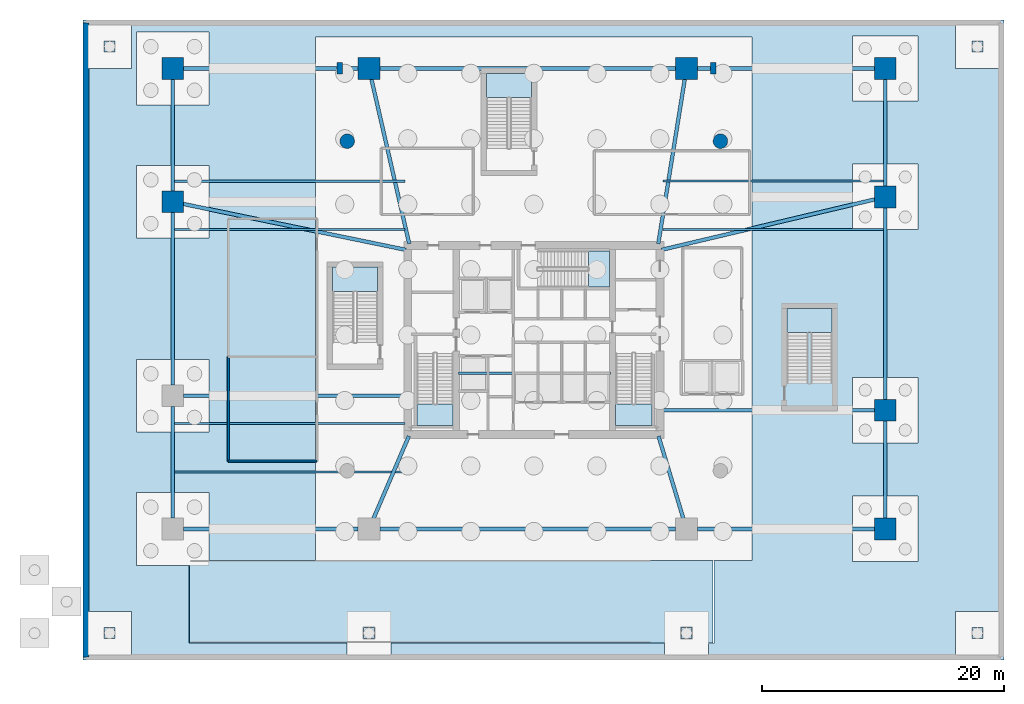
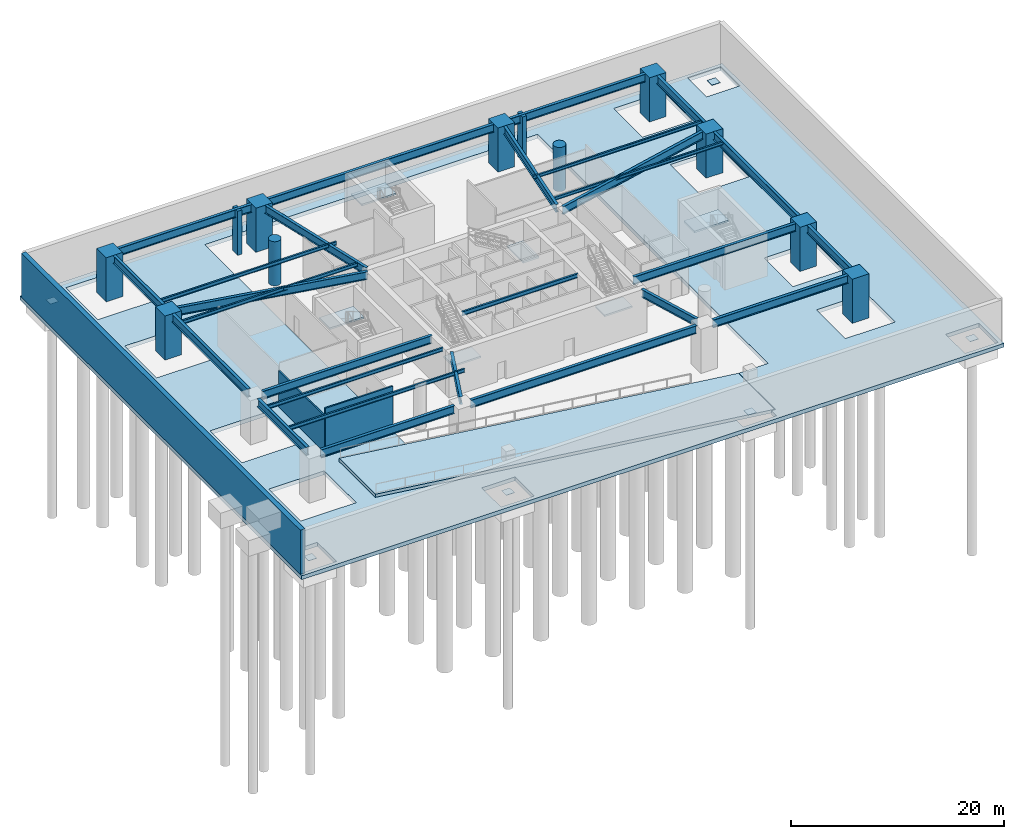
# One storey, part 3 of 11: 27 beams, 12 columns, 8 slabs, 6 plates, 3 walls, 6 elements without a shape of their own.
"""IFC4 building model written with IfcOpenShell, lengths in metres."""

from ifc_helpers import new_model, si_unit, direction, frame, frame_2d, origin, origin_2d, place, context, subcontext, project, spatial, polyline, rectangle, circle, i_section, outline, extrude, material, layer, layer_set, material_profile, profile_set, type_object, element, aggregate, save


model = new_model("IFC4")

# Units and contexts
model_context = context("Model", 3, precision=1e-05, world=origin(), true_north=direction((0.0, 1.0)))
body_context = subcontext(model_context, "Body", "Model", "MODEL_VIEW")
ifc_project = project(units=[si_unit("LENGTHUNIT", "METRE"), si_unit("AREAUNIT", "SQUARE_METRE"), si_unit("VOLUMEUNIT", "CUBIC_METRE"), si_unit("PLANEANGLEUNIT", "RADIAN"), si_unit("MASSUNIT", "GRAM", prefix="KILO")], contexts=[model_context])

# Site, building, storey
site_placement = place(None, origin())
site = spatial("IfcSite", under=ifc_project, at=site_placement, CompositionType="ELEMENT")
building_placement = place(site_placement, origin())
building = spatial("IfcBuilding", under=site, at=building_placement, Name="Qarnah Convention Tower", CompositionType="ELEMENT")
storey_placement = place(building_placement, frame((0.0, 0.0, -5.39990234375)))
storey = spatial("IfcBuildingStorey", under=building, at=storey_placement, Name="B1", CompositionType="ELEMENT", Elevation=-5.39990234375)

# Columns
ifc_material_1 = material(Name="Concrete C60/75", Category="concrete")
ifc_material_profile_1 = material_profile(ifc_material_1, circle(Radius=0.60009765625, at=origin_2d()), Name="RC-COL-D1200")
ifc_profile_set_1 = profile_set([ifc_material_profile_1], Name="Concrete C60/75")
column_type_1 = type_object("IfcColumnType", Name="COL-B1-D1200", PredefinedType="COLUMN", material=ifc_profile_set_1)
for number, where, z_axis, x_axis, name in (
    (1, (21.800048828125, 42.800048828125, 0.0), (0.0, 0.0, 1.0), (1.0, 0.0, 0.0), "Basement garage column 03"),
    (2, (52.60009765625, 42.800048828125, 0.0), (0.0, 0.0, 1.0), (1.0, 0.0, 0.0), "Basement garage column 04"),
):
    element("IfcColumn", number, at=place(storey_placement, frame(where, z_axis=z_axis, x_axis=x_axis)), inside=storey, type_object=column_type_1, Name=name, PredefinedType="COLUMN", context=body_context, shape_type="SweptSolid", body=[
        extrude(circle(Radius=0.60009765625, at=origin_2d()), origin(), (0.0, 0.0, 1.0), 5.0498046875),
    ])
ifc_material_profile_2 = material_profile(ifc_material_1, rectangle(XDim=1.800048828125, YDim=1.800048828125, at=origin_2d()), Name="RC-COL-1800X1800")
ifc_profile_set_2 = profile_set([ifc_material_profile_2], Name="Concrete C60/75")
column_type_2 = type_object("IfcColumnType", Name="COL-MC1800", PredefinedType="COLUMN", material=ifc_profile_set_2)
for number, where, z_axis, x_axis, name in (
    (3, (66.199951171875, 10.800048828125, 0.0), (0.0, 0.0, 1.0), (1.0, 0.0, 0.0), "B1 plumb column MC-04"),
    (4, (66.199951171875, 20.60009765625, 0.0), (0.0, 0.0, 1.0), (1.0, 0.0, 0.0), "B1 plumb column MC-05"),
    (5, (66.199951171875, 38.199951171875, 0.0), (0.0, 0.0, 1.0), (1.0, 0.0, 0.0), "B1 plumb column MC-06"),
    (6, (66.199951171875, 48.800048828125, 0.0), (0.0, 0.0, 1.0), (1.0, 0.0, 0.0), "B1 plumb column MC-07"),
    (7, (49.800048828125, 48.800048828125, 0.0), (0.0, 0.0, 1.0), (1.0, 0.0, 0.0), "B1 plumb column MC-08"),
    (8, (23.60009765625, 48.800048828125, 0.0), (0.0, 0.0, 1.0), (1.0, 0.0, 0.0), "B1 plumb column MC-09"),
    (9, (7.39990234375, 48.800048828125, 0.0), (0.0, 0.0, 1.0), (1.0, 0.0, 0.0), "B1 plumb column MC-10"),
    (10, (7.39990234375, 37.800048828125, 0.0), (0.0, 0.0, 1.0), (1.0, 0.0, 0.0), "B1 plumb column MC-11"),
):
    element("IfcColumn", number, at=place(storey_placement, frame(where, z_axis=z_axis, x_axis=x_axis)), inside=storey, type_object=column_type_2, Name=name, PredefinedType="COLUMN", context=body_context, shape_type="SweptSolid", body=[
        extrude(rectangle(XDim=1.800048828125, YDim=1.800048828125, at=origin_2d()), origin(), (0.0, 0.0, 1.0), 5.0498046875),
    ])
ifc_material_2 = material(Name="Precast concrete C45/55", Category="concrete")
ifc_material_profile_3 = material_profile(ifc_material_2, rectangle(XDim=0.449951171875, YDim=0.949951171875, at=origin_2d()), Name="PC-RIB-450X950")
ifc_profile_set_3 = profile_set([ifc_material_profile_3], Name="Precast concrete C45/55")
column_type_3 = type_object("IfcColumnType", Name="PIL-POD-450", PredefinedType="PILASTER", material=ifc_profile_set_3)
for number, where, z_axis, x_axis, name in (
    (11, (21.199951171875, 48.800048828125, 0.0), (0.0, 0.0, 1.0), (1.0, 0.0, 0.0), "B1 structural concrete pilaster 1"),
    (12, (52.0, 48.800048828125, 0.0), (0.0, 0.0, 1.0), (1.0, 0.0, 0.0), "B1 structural concrete pilaster 2"),
):
    element("IfcColumn", number, at=place(storey_placement, frame(where, z_axis=z_axis, x_axis=x_axis)), inside=storey, type_object=column_type_3, Name=name, PredefinedType="PILASTER", context=body_context, shape_type="SweptSolid", body=[
        extrude(rectangle(XDim=0.449951171875, YDim=0.949951171875, at=origin_2d()), origin(), (0.0, 0.0, 1.0), 5.0498046875),
    ])

# Beams
ifc_material_3 = material(Name="Structural steel S355JR", Category="steel")
ifc_material_profile_4 = material_profile(ifc_material_3, i_section(OverallWidth=0.19189453125, OverallDepth=0.464111328125, WebThickness=0.010986328125, FlangeThickness=0.01806640625, at=origin_2d()), Name="W460X89")
ifc_profile_set_4 = profile_set([ifc_material_profile_4], Name="Structural steel S355JR")
beam_type_1 = type_object("IfcBeamType", Name="BM-CANT-W460A", PredefinedType="BEAM", material=ifc_profile_set_4)
beam_1_placement = place(storey_placement, frame((30.97998046875, 23.64990234375, 4.81787109375), z_axis=(1.0, 0.0, 0.0), x_axis=(0.0, 1.0, 0.0)))
element("IfcBeam", 13, at=beam_1_placement, inside=storey, type_object=beam_type_1, Name="B1 beam BM-B1-KC1", PredefinedType="BEAM", context=body_context, shape_type="SweptSolid", body=[
    extrude(i_section(OverallWidth=0.19189453125, OverallDepth=0.464111328125, WebThickness=0.010986328125, FlangeThickness=0.01806640625, at=origin_2d()), origin(), (0.0, 0.0, 1.0), 12.5400390625),
])
ifc_material_profile_5 = material_profile(ifc_material_3, i_section(OverallWidth=0.172119140625, OverallDepth=0.35595703125, WebThickness=0.007080078125, FlangeThickness=0.011962890625, at=origin_2d()), Name="W360X51")
ifc_profile_set_5 = profile_set([ifc_material_profile_5], Name="Structural steel S355JR")
beam_type_2 = type_object("IfcBeamType", Name="BM-JST-W360", PredefinedType="JOIST", material=ifc_profile_set_5)
for number, where, z_axis, x_axis, name in (
    (14, (47.85009765625, 35.5, 4.871826171875), (1.0, 0.0, 0.0), (0.0, 1.0, 0.0), "B1 joist BM-B1-JSTE-03"),
    (15, (47.85009765625, 39.5, 4.871826171875), (1.0, 0.0, 0.0), (0.0, 1.0, 0.0), "B1 joist BM-B1-JSTE-04"),
):
    element("IfcBeam", number, at=place(storey_placement, frame(where, z_axis=z_axis, x_axis=x_axis)), inside=storey, type_object=beam_type_2, Name=name, PredefinedType="JOIST", context=body_context, shape_type="SweptSolid", body=[
        extrude(i_section(OverallWidth=0.172119140625, OverallDepth=0.35595703125, WebThickness=0.007080078125, FlangeThickness=0.011962890625, at=origin_2d()), origin(), (0.0, 0.0, 1.0), 18.2099609375),
    ])
ifc_material_profile_6 = material_profile(ifc_material_3, i_section(OverallWidth=0.177978515625, OverallDepth=0.407958984375, WebThickness=0.008056640625, FlangeThickness=0.012939453125, at=origin_2d()), Name="W410X60")
ifc_profile_set_6 = profile_set([ifc_material_profile_6], Name="Structural steel S355JR")
beam_type_3 = type_object("IfcBeamType", Name="BM-JST-W410", PredefinedType="JOIST", material=ifc_profile_set_6)
for number, where, z_axis, x_axis, name in (
    (16, (7.5400390625, 15.5, 4.845947265625), (1.0, 0.0, 0.0), (0.0, 1.0, 0.0), "B1 joist BM-B1-JSTW-01"),
    (17, (7.5400390625, 19.5, 4.845947265625), (1.0, 0.0, 0.0), (0.0, 1.0, 0.0), "B1 joist BM-B1-JSTW-02"),
    (18, (7.5400390625, 35.5, 4.845947265625), (1.0, 0.0, 0.0), (0.0, 1.0, 0.0), "B1 joist BM-B1-JSTW-03"),
    (19, (7.5400390625, 39.5, 4.845947265625), (1.0, 0.0, 0.0), (0.0, 1.0, 0.0), "B1 joist BM-B1-JSTW-04"),
):
    element("IfcBeam", number, at=place(storey_placement, frame(where, z_axis=z_axis, x_axis=x_axis)), inside=storey, type_object=beam_type_3, Name=name, PredefinedType="JOIST", context=body_context, shape_type="SweptSolid", body=[
        extrude(i_section(OverallWidth=0.177978515625, OverallDepth=0.407958984375, WebThickness=0.008056640625, FlangeThickness=0.012939453125, at=origin_2d()), origin(), (0.0, 0.0, 1.0), 19.010009765625),
    ])
ifc_material_profile_7 = material_profile(ifc_material_3, i_section(OverallWidth=0.31005859375, OverallDepth=0.912109375, WebThickness=0.02099609375, FlangeThickness=0.031982421875, at=origin_2d()), Name="W920X342")
ifc_profile_set_7 = profile_set([ifc_material_profile_7], Name="Structural steel S355JR")
beam_type_4 = type_object("IfcBeamType", Name="BM-POD-W920A", PredefinedType="BEAM", material=ifc_profile_set_7)
beam_2_placement = place(storey_placement, frame((8.2900390625, 10.800048828125, 4.593994140625), z_axis=(1.0, 0.0, 0.0), x_axis=(0.0, 1.0, 0.0)))
element("IfcBeam", 20, at=beam_2_placement, inside=storey, type_object=beam_type_4, Name="B1 spandrel BM-B1-PRG-01", PredefinedType="SPANDREL", context=body_context, shape_type="SweptSolid", body=[
    extrude(i_section(OverallWidth=0.31005859375, OverallDepth=0.912109375, WebThickness=0.02099609375, FlangeThickness=0.031982421875, at=origin_2d()), origin(), (0.0, 0.0, 1.0), 14.419921875),
])
beam_3_placement = place(storey_placement, frame((24.489990234375, 10.800048828125, 4.593994140625), z_axis=(1.0, 0.0, 0.0), x_axis=(0.0, 1.0, 0.0)))
element("IfcBeam", 21, at=beam_3_placement, inside=storey, type_object=beam_type_4, Name="B1 spandrel BM-B1-PRG-02", PredefinedType="SPANDREL", context=body_context, shape_type="SweptSolid", body=[
    extrude(i_section(OverallWidth=0.31005859375, OverallDepth=0.912109375, WebThickness=0.02099609375, FlangeThickness=0.031982421875, at=origin_2d()), origin(), (0.0, 0.0, 1.0), 24.419921875),
])
beam_4_placement = place(storey_placement, frame((50.68994140625, 10.800048828125, 4.593994140625), z_axis=(1.0, 0.0, 0.0), x_axis=(0.0, 1.0, 0.0)))
element("IfcBeam", 22, at=beam_4_placement, inside=storey, type_object=beam_type_4, Name="B1 spandrel BM-B1-PRG-03", PredefinedType="SPANDREL", context=body_context, shape_type="SweptSolid", body=[
    extrude(i_section(OverallWidth=0.31005859375, OverallDepth=0.912109375, WebThickness=0.02099609375, FlangeThickness=0.031982421875, at=origin_2d()), origin(), (0.0, 0.0, 1.0), 14.6201171875),
])
beam_5_placement = place(storey_placement, frame((66.199951171875, 11.68994140625, 4.593994140625), z_axis=(0.0, 1.0, 0.0), x_axis=(-1.0, 0.0, 0.0)))
element("IfcBeam", 23, at=beam_5_placement, inside=storey, type_object=beam_type_4, Name="B1 spandrel BM-B1-PRG-04", PredefinedType="SPANDREL", context=body_context, shape_type="SweptSolid", body=[
    extrude(i_section(OverallWidth=0.31005859375, OverallDepth=0.912109375, WebThickness=0.02099609375, FlangeThickness=0.031982421875, at=origin_2d()), origin(), (0.0, 0.0, 1.0), 8.02001953125),
])
beam_6_placement = place(storey_placement, frame((66.199951171875, 21.489990234375, 4.593994140625), z_axis=(0.0, 1.0, 0.0), x_axis=(-1.0, 0.0, 0.0)))
element("IfcBeam", 24, at=beam_6_placement, inside=storey, type_object=beam_type_4, Name="B1 spandrel BM-B1-PRG-05", PredefinedType="SPANDREL", context=body_context, shape_type="SweptSolid", body=[
    extrude(i_section(OverallWidth=0.31005859375, OverallDepth=0.912109375, WebThickness=0.02099609375, FlangeThickness=0.031982421875, at=origin_2d()), origin(), (0.0, 0.0, 1.0), 15.820068359375),
])
beam_7_placement = place(storey_placement, frame((66.199951171875, 39.090087890625, 4.593994140625), z_axis=(0.0, 1.0, 0.0), x_axis=(-1.0, 0.0, 0.0)))
element("IfcBeam", 25, at=beam_7_placement, inside=storey, type_object=beam_type_4, Name="B1 spandrel BM-B1-PRG-06", PredefinedType="SPANDREL", context=body_context, shape_type="SweptSolid", body=[
    extrude(i_section(OverallWidth=0.31005859375, OverallDepth=0.912109375, WebThickness=0.02099609375, FlangeThickness=0.031982421875, at=origin_2d()), origin(), (0.0, 0.0, 1.0), 8.81982421875),
])
beam_8_placement = place(storey_placement, frame((65.31005859375, 48.800048828125, 4.593994140625), z_axis=(-1.0, 0.0, 0.0), x_axis=(0.0, -1.0, 0.0)))
element("IfcBeam", 26, at=beam_8_placement, inside=storey, type_object=beam_type_4, Name="B1 spandrel BM-B1-PRG-07", PredefinedType="SPANDREL", context=body_context, shape_type="SweptSolid", body=[
    extrude(i_section(OverallWidth=0.31005859375, OverallDepth=0.912109375, WebThickness=0.02099609375, FlangeThickness=0.031982421875, at=origin_2d()), origin(), (0.0, 0.0, 1.0), 14.6201171875),
])
beam_9_placement = place(storey_placement, frame((48.909912109375, 48.800048828125, 4.593994140625), z_axis=(-1.0, 0.0, 0.0), x_axis=(0.0, -1.0, 0.0)))
element("IfcBeam", 27, at=beam_9_placement, inside=storey, type_object=beam_type_4, Name="B1 spandrel BM-B1-PRG-08", PredefinedType="SPANDREL", context=body_context, shape_type="SweptSolid", body=[
    extrude(i_section(OverallWidth=0.31005859375, OverallDepth=0.912109375, WebThickness=0.02099609375, FlangeThickness=0.031982421875, at=origin_2d()), origin(), (0.0, 0.0, 1.0), 24.419921875),
])
beam_10_placement = place(storey_placement, frame((22.7099609375, 48.800048828125, 4.593994140625), z_axis=(-1.0, 0.0, 0.0), x_axis=(0.0, -1.0, 0.0)))
element("IfcBeam", 28, at=beam_10_placement, inside=storey, type_object=beam_type_4, Name="B1 spandrel BM-B1-PRG-09", PredefinedType="SPANDREL", context=body_context, shape_type="SweptSolid", body=[
    extrude(i_section(OverallWidth=0.31005859375, OverallDepth=0.912109375, WebThickness=0.02099609375, FlangeThickness=0.031982421875, at=origin_2d()), origin(), (0.0, 0.0, 1.0), 14.419921875),
])
beam_11_placement = place(storey_placement, frame((7.39990234375, 47.909912109375, 4.593994140625), z_axis=(0.0, -1.0, 0.0), x_axis=(1.0, 0.0, 0.0)))
element("IfcBeam", 29, at=beam_11_placement, inside=storey, type_object=beam_type_4, Name="B1 spandrel BM-B1-PRG-10", PredefinedType="SPANDREL", context=body_context, shape_type="SweptSolid", body=[
    extrude(i_section(OverallWidth=0.31005859375, OverallDepth=0.912109375, WebThickness=0.02099609375, FlangeThickness=0.031982421875, at=origin_2d()), origin(), (0.0, 0.0, 1.0), 9.219970703125),
])
beam_12_placement = place(storey_placement, frame((7.39990234375, 36.909912109375, 4.593994140625), z_axis=(0.0, -1.0, 0.0), x_axis=(1.0, 0.0, 0.0)))
element("IfcBeam", 30, at=beam_12_placement, inside=storey, type_object=beam_type_4, Name="B1 spandrel BM-B1-PRG-11", PredefinedType="SPANDREL", context=body_context, shape_type="SweptSolid", body=[
    extrude(i_section(OverallWidth=0.31005859375, OverallDepth=0.912109375, WebThickness=0.02099609375, FlangeThickness=0.031982421875, at=origin_2d()), origin(), (0.0, 0.0, 1.0), 14.219970703125),
])
beam_13_placement = place(storey_placement, frame((7.39990234375, 20.909912109375, 4.593994140625), z_axis=(0.0, -1.0, 0.0), x_axis=(1.0, 0.0, 0.0)))
element("IfcBeam", 31, at=beam_13_placement, inside=storey, type_object=beam_type_4, Name="B1 spandrel BM-B1-PRG-12", PredefinedType="SPANDREL", context=body_context, shape_type="SweptSolid", body=[
    extrude(i_section(OverallWidth=0.31005859375, OverallDepth=0.912109375, WebThickness=0.02099609375, FlangeThickness=0.031982421875, at=origin_2d()), origin(), (0.0, 0.0, 1.0), 9.219970703125),
])
ifc_material_profile_8 = material_profile(ifc_material_3, i_section(OverallWidth=0.303955078125, OverallDepth=0.89990234375, WebThickness=0.01806640625, FlangeThickness=0.02587890625, at=origin_2d()), Name="W920X271")
ifc_profile_set_8 = profile_set([ifc_material_profile_8], Name="Structural steel S355JR")
beam_type_5 = type_object("IfcBeamType", Name="BM-POD-W920B", PredefinedType="BEAM", material=ifc_profile_set_8)
beam_14_placement = place(storey_placement, frame((23.950927734375, 11.617919921875, 4.599853515625), z_axis=(0.394718199588, 0.918802232754, 0.0), x_axis=(-0.918802232754, 0.394718199588, 0.0)))
element("IfcBeam", 32, at=beam_14_placement, inside=storey, type_object=beam_type_5, Name="B1 beam BM-B1-CSP-02", PredefinedType="BEAM", context=body_context, shape_type="SweptSolid", body=[
    extrude(i_section(OverallWidth=0.303955078125, OverallDepth=0.89990234375, WebThickness=0.01806640625, FlangeThickness=0.02587890625, at=origin_2d()), origin(), (0.0, 0.0, 1.0), 7.44873046875),
])
beam_15_placement = place(storey_placement, frame((49.54296875, 11.652099609375, 4.599853515625), z_axis=(-0.28849184782, 0.957482351661, 0.0), x_axis=(-0.957482351661, -0.28849184782, 0.0)))
element("IfcBeam", 33, at=beam_15_placement, inside=storey, type_object=beam_type_5, Name="B1 beam BM-B1-CSP-03", PredefinedType="BEAM", context=body_context, shape_type="SweptSolid", body=[
    extrude(i_section(OverallWidth=0.303955078125, OverallDepth=0.89990234375, WebThickness=0.01806640625, FlangeThickness=0.02587890625, at=origin_2d()), origin(), (0.0, 0.0, 1.0), 7.106201171875),
])
beam_16_placement = place(storey_placement, frame((65.31005859375, 20.60009765625, 4.599853515625), z_axis=(-1.0, 0.0, 0.0), x_axis=(0.0, -1.0, 0.0)))
element("IfcBeam", 34, at=beam_16_placement, inside=storey, type_object=beam_type_5, Name="B1 beam BM-B1-CSP-05", PredefinedType="BEAM", context=body_context, shape_type="SweptSolid", body=[
    extrude(i_section(OverallWidth=0.303955078125, OverallDepth=0.89990234375, WebThickness=0.01806640625, FlangeThickness=0.02587890625, at=origin_2d()), origin(), (0.0, 0.0, 1.0), 17.56005859375),
])
beam_17_placement = place(storey_placement, frame((65.333984375, 37.9951171875, 4.599853515625), z_axis=(-0.973147212786, -0.230183627233, 0.0), x_axis=(0.230183627233, -0.973147212786, 0.0)))
element("IfcBeam", 35, at=beam_17_placement, inside=storey, type_object=beam_type_5, Name="B1 beam BM-B1-CSP-06", PredefinedType="BEAM", context=body_context, shape_type="SweptSolid", body=[
    extrude(i_section(OverallWidth=0.303955078125, OverallDepth=0.89990234375, WebThickness=0.01806640625, FlangeThickness=0.02587890625, at=origin_2d()), origin(), (0.0, 0.0, 1.0), 18.0732421875),
])
beam_18_placement = place(storey_placement, frame((49.658935546875, 47.9208984375, 4.599853515625), z_axis=(-0.158921997099, -0.987291141882, 0.0), x_axis=(0.987291141882, -0.158921997099, 0.0)))
element("IfcBeam", 36, at=beam_18_placement, inside=storey, type_object=beam_type_5, Name="B1 beam BM-B1-CSP-08", PredefinedType="BEAM", context=body_context, shape_type="SweptSolid", body=[
    extrude(i_section(OverallWidth=0.303955078125, OverallDepth=0.89990234375, WebThickness=0.01806640625, FlangeThickness=0.02587890625, at=origin_2d()), origin(), (0.0, 0.0, 1.0), 13.747802734375),
])
beam_19_placement = place(storey_placement, frame((23.799072265625, 47.93310546875, 4.599853515625), z_axis=(0.223595586515, -0.974682006447, 0.0), x_axis=(0.974682006447, 0.223595586515, 0.0)))
element("IfcBeam", 37, at=beam_19_placement, inside=storey, type_object=beam_type_5, Name="B1 beam BM-B1-CSP-09", PredefinedType="BEAM", context=body_context, shape_type="SweptSolid", body=[
    extrude(i_section(OverallWidth=0.303955078125, OverallDepth=0.89990234375, WebThickness=0.01806640625, FlangeThickness=0.02587890625, at=origin_2d()), origin(), (0.0, 0.0, 1.0), 13.940185546875),
])
beam_20_placement = place(storey_placement, frame((8.27197265625, 37.6201171875, 4.599853515625), z_axis=(0.979397074538, -0.201943978338, 0.0), x_axis=(0.201943978338, 0.979397074538, 0.0)))
element("IfcBeam", 38, at=beam_20_placement, inside=storey, type_object=beam_type_5, Name="B1 beam BM-B1-CSP-11", PredefinedType="BEAM", context=body_context, shape_type="SweptSolid", body=[
    extrude(i_section(OverallWidth=0.303955078125, OverallDepth=0.89990234375, WebThickness=0.01806640625, FlangeThickness=0.02587890625, at=origin_2d()), origin(), (0.0, 0.0, 1.0), 18.767822265625),
])
beam_21_placement = place(storey_placement, frame((8.2900390625, 21.800048828125, 4.599853515625), z_axis=(1.0, 0.0, 0.0), x_axis=(0.0, 1.0, 0.0)))
element("IfcBeam", 39, at=beam_21_placement, inside=storey, type_object=beam_type_5, Name="B1 beam BM-B1-CSP-12", PredefinedType="BEAM", context=body_context, shape_type="SweptSolid", body=[
    extrude(i_section(OverallWidth=0.303955078125, OverallDepth=0.89990234375, WebThickness=0.01806640625, FlangeThickness=0.02587890625, at=origin_2d()), origin(), (0.0, 0.0, 1.0), 18.35986328125),
])

# Plates
ifc_layer_1 = layer(ifc_material_3, 0.0400390625)
ifc_layer_set_1 = layer_set([ifc_layer_1], Name="Structural steel S355JR")
plate_type = type_object("IfcPlateType", Name="PLT-BASE-40", PredefinedType="USERDEFINED", material=ifc_layer_set_1)
for number, where, z_axis, x_axis, name in (
    (40, (2.199951171875, 2.199951171875, 0.0), (0.0, 0.0, 1.0), (1.0, 0.0, 0.0), "Anchor base plate 01"),
    (41, (73.800048828125, 2.199951171875, 0.0), (0.0, 0.0, 1.0), (1.0, 0.0, 0.0), "Anchor base plate 02"),
    (42, (73.800048828125, 50.60009765625, 0.0), (0.0, 0.0, 1.0), (1.0, 0.0, 0.0), "Anchor base plate 03"),
    (43, (2.199951171875, 50.60009765625, 0.0), (0.0, 0.0, 1.0), (1.0, 0.0, 0.0), "Anchor base plate 04"),
    (44, (23.60009765625, 2.199951171875, 0.0), (0.0, 0.0, 1.0), (1.0, 0.0, 0.0), "Anchor base plate 05"),
    (45, (49.800048828125, 2.199951171875, 0.0), (0.0, 0.0, 1.0), (1.0, 0.0, 0.0), "Anchor base plate 06"),
):
    element("IfcPlate", number, at=place(storey_placement, frame(where, z_axis=z_axis, x_axis=x_axis)), inside=storey, type_object=plate_type, Name=name, ObjectType="BASE_PLATE", PredefinedType="USERDEFINED", context=body_context, shape_type="SweptSolid", body=[
        extrude(rectangle(XDim=0.89990234375, YDim=0.89990234375, at=origin_2d()), origin(), (0.0, 0.0, 1.0), 0.0400390625),
    ])

# Slab
ifc_material_4 = material(Name="Concrete C50/60", Category="concrete")
ifc_layer_2 = layer(ifc_material_4, 0.449951171875)
ifc_layer_set_2 = layer_set([ifc_layer_2], Name="Concrete C50/60")
slab_type_1 = type_object("IfcSlabType", Name="SLB-BASE-450", PredefinedType="BASESLAB", material=ifc_layer_set_2)
slab_1_placement = place(storey_placement, frame((0.0, 0.0, -0.4501953125)))
element("IfcSlab", 46, at=slab_1_placement, inside=storey, type_object=slab_type_1, Name="B1 structural floor slab", PredefinedType="BASESLAB", context=body_context, shape_type="SweptSolid", body=[
    extrude(outline(polyline([(0.0, 0.0), (76.0, 0.0), (76.0, 52.800048828125), (0.0, 52.800048828125), (0.0, 0.0)]), holes=[polyline([(0.39990234375, 0.39990234375), (0.39990234375, 4.0), (4.0, 4.0), (4.0, 0.39990234375), (0.39990234375, 0.39990234375)]), polyline([(21.800048828125, 0.39990234375), (21.800048828125, 4.0), (25.39990234375, 4.0), (25.39990234375, 0.39990234375), (21.800048828125, 0.39990234375)]), polyline([(4.39990234375, 7.800048828125), (4.39990234375, 13.800048828125), (10.39990234375, 13.800048828125), (10.39990234375, 7.800048828125), (4.39990234375, 7.800048828125)]), polyline([(4.39990234375, 18.800048828125), (4.39990234375, 24.800048828125), (10.39990234375, 24.800048828125), (10.39990234375, 18.800048828125), (4.39990234375, 18.800048828125)]), polyline([(52.050048828125, 8.199951171875), (52.050048828125, 1.35009765625), (51.60009765625, 1.35009765625), (51.60009765625, 0.39990234375), (48.0, 0.39990234375), (48.0, 4.0), (48.949951171875, 4.0), (48.949951171875, 8.199951171875), (19.199951171875, 8.199951171875), (19.199951171875, 51.39990234375), (55.199951171875, 51.39990234375), (55.199951171875, 8.199951171875), (52.050048828125, 8.199951171875)]), polyline([(4.39990234375, 34.800048828125), (4.39990234375, 40.800048828125), (10.39990234375, 40.800048828125), (10.39990234375, 34.800048828125), (4.39990234375, 34.800048828125)]), polyline([(4.39990234375, 45.800048828125), (4.39990234375, 51.800048828125), (10.39990234375, 51.800048828125), (10.39990234375, 45.800048828125), (4.39990234375, 45.800048828125)]), polyline([(0.39990234375, 48.800048828125), (0.39990234375, 52.39990234375), (4.0, 52.39990234375), (4.0, 48.800048828125), (0.39990234375, 48.800048828125)]), polyline([(72.0, 0.39990234375), (72.0, 4.0), (75.60009765625, 4.0), (75.60009765625, 0.39990234375), (72.0, 0.39990234375)]), polyline([(63.5, 8.10009765625), (63.5, 13.5), (68.89990234375, 13.5), (68.89990234375, 8.10009765625), (63.5, 8.10009765625)]), polyline([(63.5, 17.89990234375), (63.5, 23.300048828125), (68.89990234375, 23.300048828125), (68.89990234375, 17.89990234375), (63.5, 17.89990234375)]), polyline([(63.5, 35.5), (63.5, 40.89990234375), (68.89990234375, 40.89990234375), (68.89990234375, 35.5), (63.5, 35.5)]), polyline([(63.5, 46.10009765625), (63.5, 51.5), (68.89990234375, 51.5), (68.89990234375, 46.10009765625), (63.5, 46.10009765625)]), polyline([(72.0, 48.800048828125), (72.0, 52.39990234375), (75.60009765625, 52.39990234375), (75.60009765625, 48.800048828125), (72.0, 48.800048828125)])]), origin(), (0.0, 0.0, 1.0), 0.4501953125),
])

# Stair, slab
stair_type_1 = type_object("IfcStairType", Name="STR-POD", PredefinedType="HALF_TURN_STAIR", material=ifc_material_4)
stair_1_placement = place(storey_placement, origin())
stair_1 = element("IfcStair", 47, at=stair_1_placement, inside=storey, type_object=stair_type_1, Name="B1 Core exit stair ST-1", PredefinedType="HALF_TURN_STAIR")
ifc_layer_3 = layer(ifc_material_4, 0.199951171875)
ifc_layer_set_3 = layer_set([ifc_layer_3], Name="Concrete C50/60")
slab_type_2 = type_object("IfcSlabType", Name="SLB-LANDING-200", PredefinedType="LANDING", material=ifc_layer_set_3)
slab_2_placement = place(storey_placement, frame((0.0, 0.0, 2.5)))
slab_2 = element("IfcSlab", 48, at=slab_2_placement, type_object=slab_type_2, Name="ST-1 landing 1", PredefinedType="LANDING", context=body_context, shape_type="SweptSolid", body=[
    extrude(outline(polyline([(27.550048828125, 21.10009765625), (27.550048828125, 19.35009765625), (30.550048828125, 19.35009765625), (30.550048828125, 21.10009765625), (27.550048828125, 21.10009765625)])), origin(), (0.0, 0.0, 1.0), 0.199951171875),
])
aggregate(stair_1, [slab_2])

stair_2_placement = place(storey_placement, origin())
stair_2 = element("IfcStair", 49, at=stair_2_placement, inside=storey, type_object=stair_type_1, Name="B1 Core exit stair ST-2", PredefinedType="HALF_TURN_STAIR")
slab_3_placement = place(storey_placement, frame((0.0, 0.0, 2.5)))
slab_3 = element("IfcSlab", 50, at=slab_3_placement, type_object=slab_type_2, Name="ST-2 landing 1", PredefinedType="LANDING", context=body_context, shape_type="SweptSolid", body=[
    extrude(outline(polyline([(43.949951171875, 21.10009765625), (43.949951171875, 19.35009765625), (46.949951171875, 19.35009765625), (46.949951171875, 21.10009765625), (43.949951171875, 21.10009765625)])), origin(), (0.0, 0.0, 1.0), 0.199951171875),
])
aggregate(stair_2, [slab_3])

stair_3_placement = place(storey_placement, origin())
stair_3 = element("IfcStair", 51, at=stair_3_placement, inside=storey, type_object=stair_type_1, Name="B1 Core exit stair ST-3", PredefinedType="HALF_TURN_STAIR")
slab_4_placement = place(storey_placement, frame((0.0, 0.0, 2.5)))
slab_4 = element("IfcSlab", 52, at=slab_4_placement, type_object=slab_type_2, Name="ST-3 landing 1", PredefinedType="LANDING", context=body_context, shape_type="SweptSolid", body=[
    extrude(outline(polyline([(41.699951171875, 30.75), (43.449951171875, 30.75), (43.449951171875, 33.75), (41.699951171875, 33.75), (41.699951171875, 30.75)])), origin(), (0.0, 0.0, 1.0), 0.199951171875),
])
aggregate(stair_3, [slab_4])

stair_type_2 = type_object("IfcStairType", Name="STR-PODW", PredefinedType="HALF_TURN_STAIR", material=ifc_material_4)
stair_4_placement = place(storey_placement, origin())
stair_4 = element("IfcStair", 53, at=stair_4_placement, inside=storey, type_object=stair_type_2, Name="B1 Podium east convention exit stair ST-4", PredefinedType="HALF_TURN_STAIR")
slab_5_placement = place(storey_placement, frame((0.0, 0.0, 2.5)))
slab_5 = element("IfcSlab", 54, at=slab_5_placement, type_object=slab_type_2, Name="ST-4 landing 1", PredefinedType="LANDING", context=body_context, shape_type="SweptSolid", body=[
    extrude(outline(polyline([(61.800048828125, 27.0), (61.800048828125, 29.0), (58.10009765625, 29.0), (58.10009765625, 27.0), (61.800048828125, 27.0)])), origin(), (0.0, 0.0, 1.0), 0.199951171875),
])
aggregate(stair_4, [slab_5])

stair_5_placement = place(storey_placement, origin())
stair_5 = element("IfcStair", 55, at=stair_5_placement, inside=storey, type_object=stair_type_2, Name="B1 Podium west exhibition exit stair ST-5", PredefinedType="HALF_TURN_STAIR")
slab_6_placement = place(storey_placement, frame((0.0, 0.0, 2.5)))
slab_6 = element("IfcSlab", 56, at=slab_6_placement, type_object=slab_type_2, Name="ST-5 landing 1", PredefinedType="LANDING", context=body_context, shape_type="SweptSolid", body=[
    extrude(outline(polyline([(24.300048828125, 30.39990234375), (24.300048828125, 32.39990234375), (20.60009765625, 32.39990234375), (20.60009765625, 30.39990234375), (24.300048828125, 30.39990234375)])), origin(), (0.0, 0.0, 1.0), 0.199951171875),
])
aggregate(stair_5, [slab_6])

stair_6_placement = place(storey_placement, origin())
stair_6 = element("IfcStair", 57, at=stair_6_placement, inside=storey, type_object=stair_type_2, Name="B1 Podium north ballroom exit stair ST-6", PredefinedType="HALF_TURN_STAIR")
slab_7_placement = place(storey_placement, frame((0.0, 0.0, 2.5)))
slab_7 = element("IfcSlab", 58, at=slab_7_placement, type_object=slab_type_2, Name="ST-6 landing 1", PredefinedType="LANDING", context=body_context, shape_type="SweptSolid", body=[
    extrude(outline(polyline([(37.0, 46.39990234375), (37.0, 48.39990234375), (33.300048828125, 48.39990234375), (33.300048828125, 46.39990234375), (37.0, 46.39990234375)])), origin(), (0.0, 0.0, 1.0), 0.199951171875),
])
aggregate(stair_6, [slab_7])

# Slab
ifc_layer_4 = layer(ifc_material_4, 0.35009765625)
ifc_layer_set_4 = layer_set([ifc_layer_4], Name="Concrete C50/60")
slab_type_3 = type_object("IfcSlabType", Name="SLB-RAMP-350", PredefinedType="FLOOR", material=ifc_layer_set_4)
slab_8_placement = place(storey_placement, frame((52.0, 1.39990234375, 0.0), z_axis=(0.124032664028, 0.0, 0.992278135532), x_axis=(0.0, 1.0, 0.0)))
element("IfcSlab", 59, at=slab_8_placement, inside=storey, type_object=slab_type_3, Name="Car park vehicle ramp structural slab RMF1", PredefinedType="FLOOR", context=body_context, shape_type="SweptSolid", body=[
    extrude(outline(polyline([(0.0, 0.0), (6.800048828125, 0.0), (6.800048828125, 43.5361312770717), (0.0, 43.5361312770717), (0.0, 0.0)])), origin(), (0.0, 0.0, -1.0), 0.35009765625),
])

# Walls
ifc_material_5 = material(Name="Gypsum partition board")
ifc_layer_5 = layer(ifc_material_5, 0.159912109375)
ifc_layer_set_5 = layer_set([ifc_layer_5], Name="Gypsum partition board")
wall_type_1 = type_object("IfcWallType", Name="WL-CORR-160", PredefinedType="PARTITIONING", material=ifc_layer_set_5)
wall_1_placement = place(storey_placement, frame((12.0, 25.0, 0.0), z_axis=(0.0, 0.0, 1.0), x_axis=(0.0, -1.0, 0.0)))
element("IfcWall", 60, at=wall_1_placement, inside=storey, type_object=wall_type_1, Name="B1 interior wall IW-B1-R-03", PredefinedType="PARTITIONING", context=body_context, shape_type="SweptSolid", body=[
    extrude(rectangle(XDim=8.60009765625, YDim=0.159912109375, at=frame_2d((4.300048828125, 0.0))), origin(), (0.0, 0.0, 1.0), 4.135009765625),
])
wall_2_placement = place(storey_placement, frame((12.0, 16.39990234375, 0.0), z_axis=(0.0, 0.0, 1.0), x_axis=(1.0, 0.0, 0.0)))
element("IfcWall", 61, at=wall_2_placement, inside=storey, type_object=wall_type_1, Name="B1 interior wall IW-B1-R-04", PredefinedType="PARTITIONING", context=body_context, shape_type="SweptSolid", body=[
    extrude(rectangle(XDim=7.300048828125, YDim=0.159912109375, at=frame_2d((3.64990234375, 0.0))), origin(), (0.0, 0.0, 1.0), 5.0498046875),
])
ifc_layer_6 = layer(ifc_material_4, 0.5)
ifc_layer_set_6 = layer_set([ifc_layer_6], Name="Concrete C50/60")
wall_type_2 = type_object("IfcWallType", Name="WL-RET-500", PredefinedType="USERDEFINED", material=ifc_layer_set_6)
wall_3_placement = place(storey_placement, frame((0.25, 52.550048828125, 0.0), z_axis=(0.0, 0.0, 1.0), x_axis=(0.0, -1.0, 0.0)))
element("IfcWall", 62, at=wall_3_placement, inside=storey, type_object=wall_type_2, Name="Basement perimeter retaining wall W", ObjectType="RETAININGWALL", PredefinedType="USERDEFINED", context=body_context, shape_type="SweptSolid", body=[
    extrude(rectangle(XDim=52.300048828125, YDim=0.5, at=frame_2d((26.14990234375, 0.0))), origin(), (0.0, 0.0, 1.0), 5.0498046875),
])

save(model, "model.ifc")
